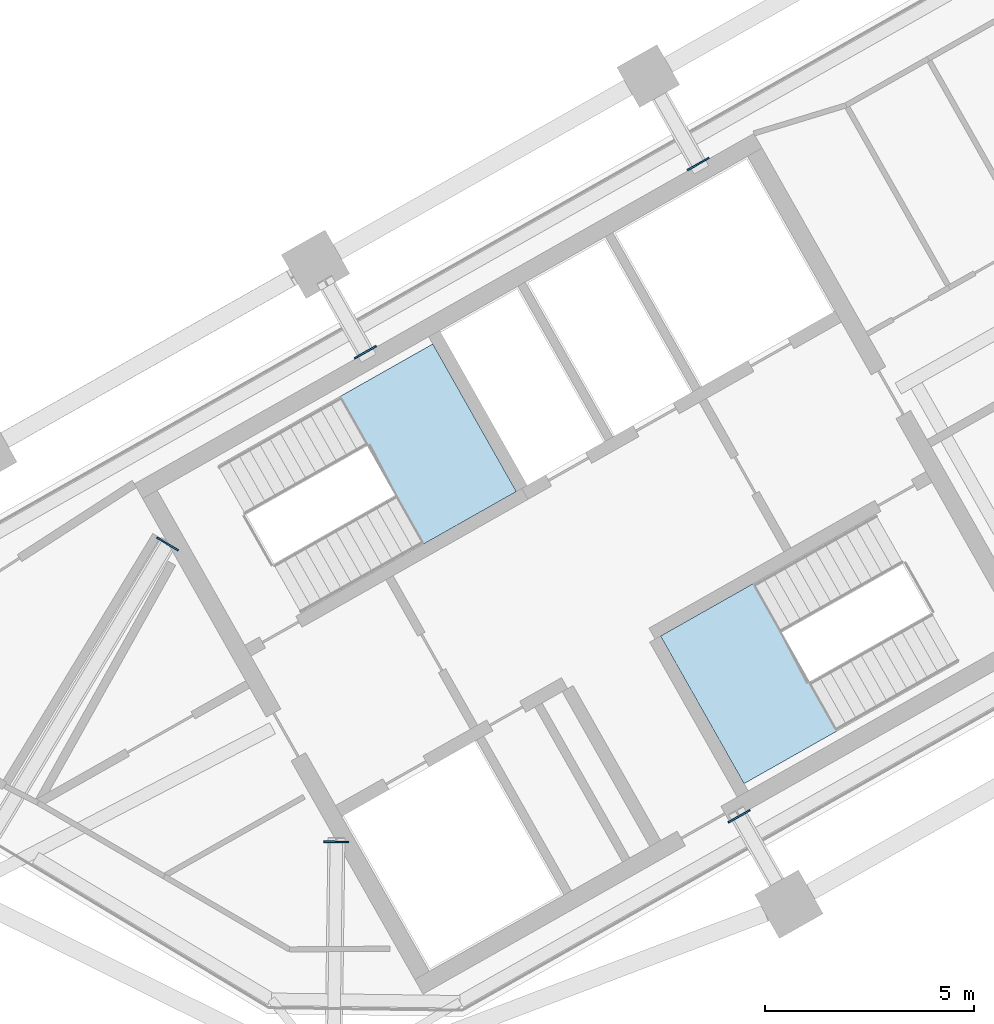
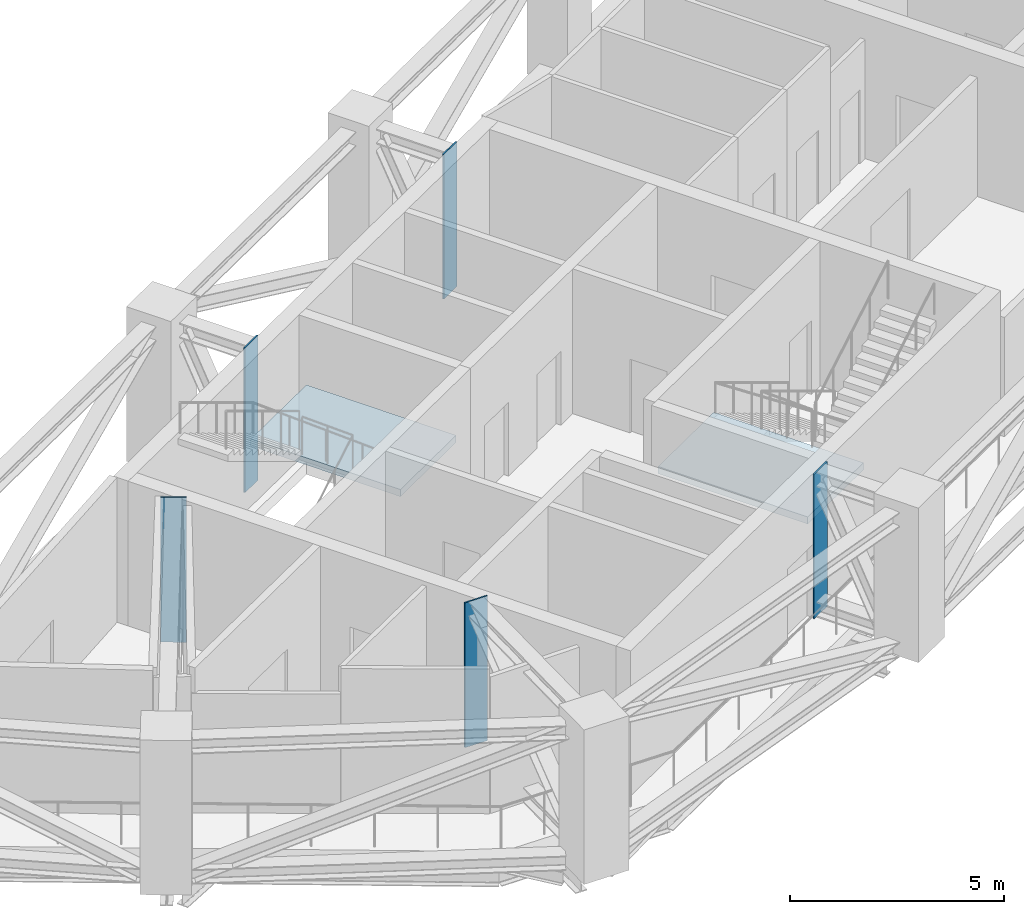
# One storey, part 3 of 10: 5 plates, 2 slabs, 2 elements without a shape of their own.
"""IFC4 building model written with IfcOpenShell, lengths in metres."""

from ifc_helpers import new_model, si_unit, direction, frame, origin, origin_2d, place, context, subcontext, project, spatial, polyline, rectangle, outline, extrude, material, layer, layer_set, type_object, element, aggregate, save


model = new_model("IFC4")

# Units and contexts
model_context = context("Model", 3, precision=1e-05, world=origin(), true_north=direction((0.0, 1.0)))
body_context = subcontext(model_context, "Body", "Model", "MODEL_VIEW")
ifc_project = project(units=[si_unit("LENGTHUNIT", "METRE"), si_unit("AREAUNIT", "SQUARE_METRE"), si_unit("VOLUMEUNIT", "CUBIC_METRE"), si_unit("PLANEANGLEUNIT", "RADIAN"), si_unit("MASSUNIT", "GRAM", prefix="KILO")], contexts=[model_context])

# Site, building, storey
site_placement = place(None, origin())
site = spatial("IfcSite", under=ifc_project, at=site_placement, CompositionType="ELEMENT")
building_placement = place(site_placement, origin())
building = spatial("IfcBuilding", under=site, at=building_placement, Name="Binnacle Exchange Tower", CompositionType="ELEMENT")
storey_placement = place(building_placement, frame((0.0, 0.0, 312.10009765625)))
storey = spatial("IfcBuildingStorey", under=building, at=storey_placement, Name="L70", CompositionType="ELEMENT", Elevation=312.10009765625)

# Plates
ifc_material_1 = material(Name="Steel S355 (SM355)", Category="steel")
ifc_layer_1 = layer(ifc_material_1, 0.0400390625)
ifc_layer_set_1 = layer_set([ifc_layer_1], Name="Cast-in plate 40")
plate_type = type_object("IfcPlateType", Name="Cast-in plate 40", PredefinedType="SHEET", material=ifc_layer_set_1)
for number, where, z_axis, x_axis, name in (
    (1, (-45.818603515625, 40.2412109375, -0.000244140625), (0.0, 0.0, 1.0), (0.51503807491, 0.857167300702, 0.0), "Cast-in plate CP-OT70 40"),
    (2, (-41.091064453125, 44.8173828125, -0.000244140625), (0.0, 0.0, 1.0), (0.492423560103, -0.87035569594, 0.0), "Cast-in plate CP-OT70 40"),
    (3, (-41.783935546875, 33.125, -0.000244140625), (0.0, 0.0, 1.0), (0.013089595571, 0.999914327574, 0.0), "Cast-in plate CP-OT70 40"),
    (4, (-33.14501953125, 49.31298828125, -0.000244140625), (0.0, 0.0, 1.0), (0.492423560103, -0.87035569594, 0.0), "Cast-in plate CP-OT70 40"),
    (5, (-32.164306640625, 33.736572265625, -0.000244140625), (0.0, 0.0, 1.0), (-0.492423560103, 0.87035569594, 0.0), "Cast-in plate CP-OT70 40"),
):
    element("IfcPlate", number, at=place(storey_placement, frame(where, z_axis=z_axis, x_axis=x_axis)), inside=storey, type_object=plate_type, Name=name, PredefinedType="SHEET", context=body_context, shape_type="SweptSolid", body=[
        extrude(rectangle(XDim=0.0400390625, YDim=0.60009765625, at=origin_2d()), origin(), (0.0, 0.0, 1.0), 4.1201171875),
    ])

# Stair, slab
ifc_material_2 = material(Name="Concrete C35/45", Category="concrete")
stair_type = type_object("IfcStairType", Name="STAIR 26 RISERS 169", PredefinedType="HALF_TURN_STAIR", material=ifc_material_2)
stair_1_placement = place(storey_placement, origin())
stair_1 = element("IfcStair", 6, at=stair_1_placement, inside=storey, type_object=stair_type, Name="L70 Escape stair A1", PredefinedType="HALF_TURN_STAIR")
ifc_layer_2 = layer(ifc_material_2, 0.199951171875)
ifc_layer_set_2 = layer_set([ifc_layer_2], Name="STAIR LANDING 200")
slab_type = type_object("IfcSlabType", Name="STAIR LANDING 200", PredefinedType="LANDING", material=ifc_layer_set_2)
slab_1_placement = place(storey_placement, frame((0.0, 0.0, 2.0)))
slab_1 = element("IfcSlab", 7, at=slab_1_placement, type_object=slab_type, Name="STA1 landing 1", PredefinedType="LANDING", context=body_context, shape_type="SweptSolid", body=[
    extrude(outline(polyline([(-39.714599609375, 40.23046875), (-37.486572265625, 41.4912109375), (-39.48095703125, 45.01611328125), (-41.708984375, 43.755615234375), (-39.714599609375, 40.23046875)])), origin(), (0.0, 0.0, 1.0), 0.199951171875),
])
aggregate(stair_1, [slab_1])

stair_2_placement = place(storey_placement, origin())
stair_2 = element("IfcStair", 8, at=stair_2_placement, inside=storey, type_object=stair_type, Name="L70 Escape stair A2", PredefinedType="HALF_TURN_STAIR")
slab_2_placement = place(storey_placement, frame((0.0, 0.0, 2.0)))
slab_2 = element("IfcSlab", 9, at=slab_2_placement, type_object=slab_type, Name="STA2 landing 1", PredefinedType="LANDING", context=body_context, shape_type="SweptSolid", body=[
    extrude(outline(polyline([(-31.8125, 39.30126953125), (-34.040771484375, 38.04052734375), (-32.04638671875, 34.515625), (-29.818359375, 35.7763671875), (-31.8125, 39.30126953125)])), origin(), (0.0, 0.0, 1.0), 0.199951171875),
])
aggregate(stair_2, [slab_2])

save(model, "model.ifc")
